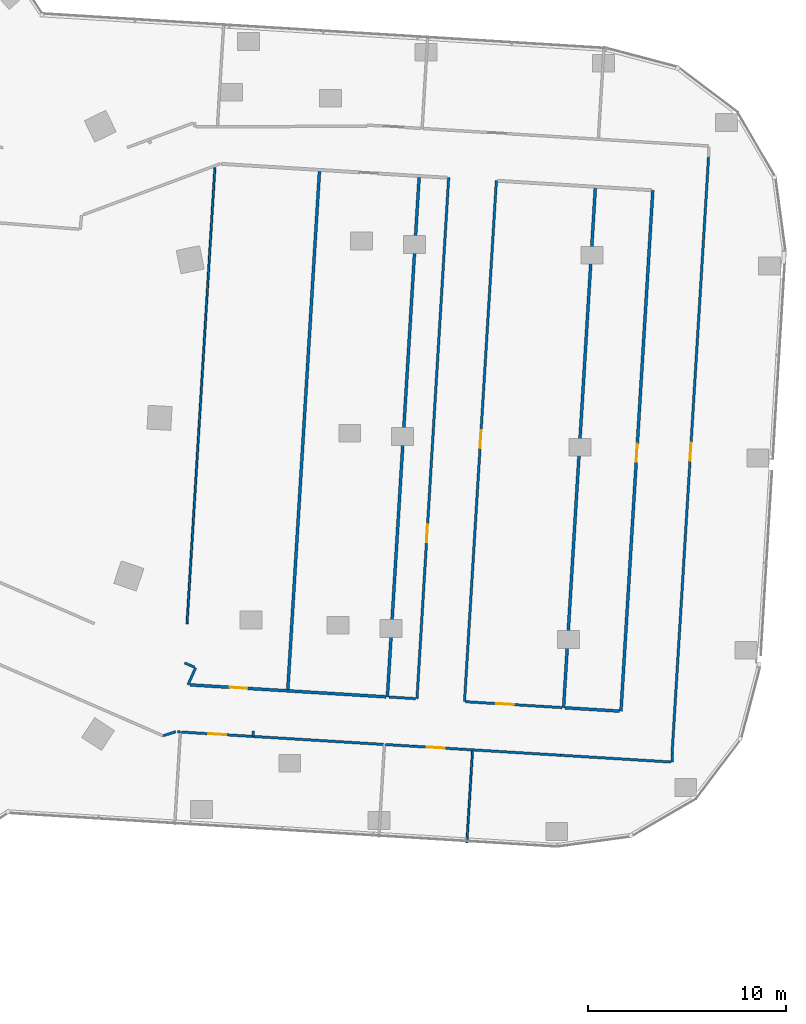
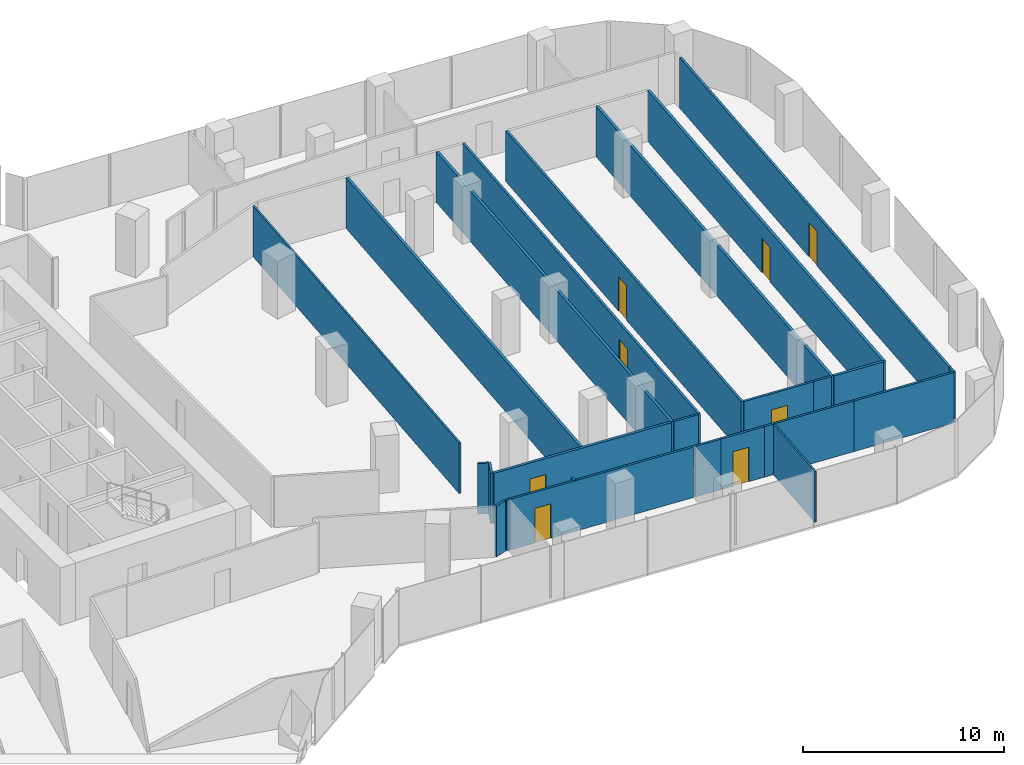
# One storey, part 25 of 32: 25 walls, 8 doors, 8 openings.
"""IFC4 building model written with IfcOpenShell, lengths in metres."""

from ifc_helpers import new_model, si_unit, direction, frame, frame_2d, origin, place, context, subcontext, project, spatial, rectangle, extrude, material, layer, layer_set, type_object, element, fill, save


model = new_model("IFC4")

# Units and contexts
model_context = context("Model", 3, precision=1e-05, world=origin(), true_north=direction((0.0, 1.0)))
body_context = subcontext(model_context, "Body", "Model", "MODEL_VIEW")
ifc_project = project(units=[si_unit("LENGTHUNIT", "METRE"), si_unit("AREAUNIT", "SQUARE_METRE"), si_unit("VOLUMEUNIT", "CUBIC_METRE"), si_unit("PLANEANGLEUNIT", "RADIAN"), si_unit("MASSUNIT", "GRAM", prefix="KILO")], contexts=[model_context])

# Site, building, storey
site_placement = place(None, origin())
site = spatial("IfcSite", under=ifc_project, at=site_placement, CompositionType="ELEMENT")
building_placement = place(site_placement, origin())
building = spatial("IfcBuilding", under=site, at=building_placement, Name="Orlundy Tower", CompositionType="ELEMENT")
storey_placement = place(building_placement, frame((0.0, 0.0, 149.10009765625)))
storey = spatial("IfcBuildingStorey", under=building, at=storey_placement, Name="L38", CompositionType="ELEMENT", Elevation=149.10009765625)

# Walls
ifc_material_1 = material(Name="Gypsum board partition")
ifc_layer_1 = layer(ifc_material_1, 0.10009765625)
ifc_layer_set_1 = layer_set([ifc_layer_1], Name="Floor partition 100")
wall_type_1 = type_object("IfcWallType", Name="Floor partition 100", PredefinedType="PARTITIONING", material=ifc_layer_set_1)
wall_1_placement = place(storey_placement, frame((45.1259765625, -23.048095703125, 0.0), z_axis=(0.0, 0.0, 1.0), x_axis=(0.061314799781, 0.998118477601, 0.0)))
element("IfcWall", 1, at=wall_1_placement, inside=storey, type_object=wall_type_1, Name="wall-int-L38-090", PredefinedType="PARTITIONING", context=body_context, shape_type="SweptSolid", body=[
    extrude(rectangle(XDim=4.630859375, YDim=0.10009765625, at=frame_2d((2.3154296875, 0.0))), origin(), (0.0, 0.0, 1.0), 3.079833984375),
])
wall_2_placement = place(storey_placement, frame((31.01708984375, -12.014892578125, 0.0), z_axis=(0.0, 0.0, 1.0), x_axis=(0.061035772494, 0.998135579206, 0.0)))
element("IfcWall", 2, at=wall_2_placement, inside=storey, type_object=wall_type_1, Name="wall-int-L38-098", PredefinedType="PARTITIONING", context=body_context, shape_type="SweptSolid", body=[
    extrude(rectangle(XDim=23.0517578125, YDim=0.10009765625, at=frame_2d((11.52587890625, 0.0))), origin(), (0.0, 0.0, 1.0), 3.079833984375),
])
ifc_material_2 = material(Name="Gypsum board partition, double layer")
ifc_layer_2 = layer(ifc_material_2, 0.125)
ifc_layer_set_2 = layer_set([ifc_layer_2], Name="Floor partition 125")
wall_type_2 = type_object("IfcWallType", Name="Floor partition 125", PredefinedType="PARTITIONING", material=ifc_layer_set_2)
wall_3_placement = place(storey_placement, frame((34.34912109375, -17.405029296875, 0.0), z_axis=(0.0, 0.0, 1.0), x_axis=(0.017313421844, -0.999850111479, 0.0)))
element("IfcWall", 3, at=wall_3_placement, inside=storey, type_object=wall_type_2, Name="wall-int-L38-002", PredefinedType="PARTITIONING", context=body_context, shape_type="SweptSolid", body=[
    extrude(rectangle(XDim=0.281982421875, YDim=0.125, at=frame_2d((0.14111328125, 0.0))), origin(), (0.0, 0.0, 1.0), 3.079833984375),
])
wall_4_placement = place(storey_placement, frame((30.89697265625, -13.97900390625, 0.0), z_axis=(0.0, 0.0, 1.0), x_axis=(0.917105858988, -0.398643755012, 0.0)))
element("IfcWall", 4, at=wall_4_placement, inside=storey, type_object=wall_type_2, Name="wall-int-L38-008", PredefinedType="PARTITIONING", context=body_context, shape_type="SweptSolid", body=[
    extrude(rectangle(XDim=0.5419921875, YDim=0.125, at=frame_2d((0.27099609375, 0.0))), origin(), (0.0, 0.0, 1.0), 3.079833984375),
])
wall_5_placement = place(storey_placement, frame((30.532958984375, -17.4541015625, 0.0), z_axis=(0.0, 0.0, 1.0), x_axis=(0.998313083069, -0.058060211616, 0.0)))
element("IfcWall", 5, at=wall_5_placement, inside=storey, type_object=wall_type_2, Name="wall-int-L38-030", PredefinedType="PARTITIONING", context=body_context, shape_type="SweptSolid", body=[
    extrude(rectangle(XDim=0.1513671875, YDim=0.125, at=frame_2d((0.07568359375, 0.0))), origin(), (0.0, 0.0, 1.0), 3.079833984375),
])
wall_6_placement = place(storey_placement, frame((41.02197265625, -18.094970703125, 0.0), z_axis=(0.0, 0.0, 1.0), x_axis=(0.9981427784, -0.060917927811, 0.0)))
element("IfcWall", 6, at=wall_6_placement, inside=storey, type_object=wall_type_2, Name="wall-int-L38-031", PredefinedType="PARTITIONING", context=body_context, shape_type="SweptSolid", body=[
    extrude(rectangle(XDim=1.44677734375, YDim=0.125, at=frame_2d((0.723388671875, 0.0))), origin(), (0.0, 0.0, 1.0), 3.079833984375),
])
wall_7_placement = place(storey_placement, frame((49.85498046875, -18.635009765625, 0.0), z_axis=(0.0, 0.0, 1.0), x_axis=(-0.998140256912, 0.060959228443, 0.0)))
element("IfcWall", 7, at=wall_7_placement, inside=storey, type_object=wall_type_2, Name="wall-int-L38-032", PredefinedType="PARTITIONING", context=body_context, shape_type="SweptSolid", body=[
    extrude(rectangle(XDim=5.002197265625, YDim=0.125, at=frame_2d((2.5009765625, 0.0))), origin(), (0.0, 0.0, 1.0), 3.079833984375),
])
wall_8_placement = place(storey_placement, frame((49.85498046875, -18.635009765625, 0.0), z_axis=(0.0, 0.0, 1.0), x_axis=(0.998130487354, -0.061118984082, 0.0)))
element("IfcWall", 8, at=wall_8_placement, inside=storey, type_object=wall_type_2, Name="wall-int-L38-033", PredefinedType="PARTITIONING", context=body_context, shape_type="SweptSolid", body=[
    extrude(rectangle(XDim=5.564453125, YDim=0.125, at=frame_2d((2.7822265625, 0.0))), origin(), (0.0, 0.0, 1.0), 3.079833984375),
])

# Wall, opening, door
wall_9_placement = place(storey_placement, frame((40.923095703125, -18.089111328125, 0.0), z_axis=(0.0, 0.0, 1.0), x_axis=(-0.998135704692, 0.06103372034, 0.0)))
wall_9 = element("IfcWall", 9, at=wall_9_placement, inside=storey, type_object=wall_type_2, Name="wall-int-L38-034", PredefinedType="PARTITIONING", context=body_context, shape_type="SweptSolid", body=[
    extrude(rectangle(XDim=10.208251953125, YDim=0.125, at=frame_2d((5.10400390625, 0.0))), origin(), (0.0, 0.0, 1.0), 3.079833984375),
])
opening_1_placement = place(wall_9_placement, frame((7.9375, 0.0, 0.0)))
opening_1 = element("IfcOpeningElement", 10, at=opening_1_placement, cuts=wall_9, Name="Opening 29109", PredefinedType="OPENING", context=body_context, shape_type="SweptSolid", body=[
    extrude(rectangle(XDim=0.89990234375, YDim=2.10009765625, at=frame_2d((0.449951171875, 1.050048828125))), frame((0.0, 0.072509765625, 0.0), z_axis=(0.0, -1.0, 0.0), x_axis=(1.0, 0.0, 0.0)), (0.0, 0.0, 1.0), 0.14501953125),
])
ifc_material_3 = material(Name="Timber door leaf", Category="wood")
door_type_1 = type_object("IfcDoorType", Name="Floor door single 900 FD30S", OperationType="NOTDEFINED", PredefinedType="DOOR", material=ifc_material_3)
door_1_placement = place(opening_1_placement, origin())
door_1 = element("IfcDoor", 11, at=door_1_placement, inside=storey, type_object=door_type_1, Name="Door 29109", OperationType="SINGLE_SWING_RIGHT", OverallHeight=2.10009765625, OverallWidth=0.89990234375, PredefinedType="DOOR", context=body_context, shape_type="SweptSolid", body=[
    extrude(rectangle(XDim=0.89990234375, YDim=2.10009765625, at=frame_2d((0.449951171875, 1.050048828125))), frame((0.0, 0.02490234375, 0.0), z_axis=(0.0, -1.0, 0.0), x_axis=(1.0, 0.0, 0.0)), (0.0, 0.0, 1.0), 0.050048828125),
])
fill(opening_1, door_1)

wall_10_placement = place(storey_placement, frame((44.862060546875, -18.330078125, 0.0), z_axis=(0.0, 0.0, 1.0), x_axis=(-0.998123937102, 0.061225862048, 0.0)))
wall_10 = element("IfcWall", 12, at=wall_10_placement, inside=storey, type_object=wall_type_2, Name="wall-int-L38-035", PredefinedType="PARTITIONING", context=body_context, shape_type="SweptSolid", body=[
    extrude(rectangle(XDim=2.400390625, YDim=0.125, at=frame_2d((1.2001953125, 0.0))), origin(), (0.0, 0.0, 1.0), 3.079833984375),
])
opening_2_placement = place(wall_10_placement, frame((0.85009765625, 0.0, 0.0)))
opening_2 = element("IfcOpeningElement", 13, at=opening_2_placement, cuts=wall_10, Name="Opening 29110", PredefinedType="OPENING", context=body_context, shape_type="SweptSolid", body=[
    extrude(rectangle(XDim=0.89990234375, YDim=2.10009765625, at=frame_2d((0.449951171875, 1.050048828125))), frame((0.0, 0.072509765625, 0.0), z_axis=(0.0, -1.0, 0.0), x_axis=(1.0, 0.0, 0.0)), (0.0, 0.0, 1.0), 0.14501953125),
])
door_2_placement = place(opening_2_placement, origin())
door_2 = element("IfcDoor", 14, at=door_2_placement, inside=storey, type_object=door_type_1, Name="Door 29110", OperationType="SINGLE_SWING_RIGHT", OverallHeight=2.10009765625, OverallWidth=0.89990234375, PredefinedType="DOOR", context=body_context, shape_type="SweptSolid", body=[
    extrude(rectangle(XDim=0.89990234375, YDim=2.10009765625, at=frame_2d((0.449951171875, 1.050048828125))), frame((0.0, 0.02490234375, 0.0), z_axis=(0.0, -1.0, 0.0), x_axis=(1.0, 0.0, 0.0)), (0.0, 0.0, 1.0), 0.050048828125),
])
fill(opening_2, door_2)

# Walls
wall_11_placement = place(storey_placement, frame((41.194091796875, -15.699951171875, 0.0), z_axis=(0.0, 0.0, 1.0), x_axis=(0.998175067926, -0.060386536338, 0.0)))
element("IfcWall", 15, at=wall_11_placement, inside=storey, type_object=wall_type_2, Name="wall-int-L38-036", PredefinedType="PARTITIONING", context=body_context, shape_type="SweptSolid", body=[
    extrude(rectangle(XDim=1.3583984375, YDim=0.125, at=frame_2d((0.67919921875, 0.0))), origin(), (0.0, 0.0, 1.0), 3.079833984375),
])
wall_12_placement = place(storey_placement, frame((48.951904296875, -16.174072265625, 0.0), z_axis=(0.0, 0.0, 1.0), x_axis=(0.998184467613, -0.060230960615, 0.0)))
element("IfcWall", 16, at=wall_12_placement, inside=storey, type_object=wall_type_2, Name="wall-int-L38-037", PredefinedType="PARTITIONING", context=body_context, shape_type="SweptSolid", body=[
    extrude(rectangle(XDim=0.976806640625, YDim=0.125, at=frame_2d((0.48828125, 0.0))), origin(), (0.0, 0.0, 1.0), 3.079833984375),
])

# Wall, opening, door
wall_13_placement = place(storey_placement, frame((45.070068359375, -15.93701171875, 0.0), z_axis=(0.0, 0.0, 1.0), x_axis=(0.998140477109, -0.060955622847, 0.0)))
wall_13 = element("IfcWall", 17, at=wall_13_placement, inside=storey, type_object=wall_type_2, Name="wall-int-L38-039", PredefinedType="PARTITIONING", context=body_context, shape_type="SweptSolid", body=[
    extrude(rectangle(XDim=3.88916015625, YDim=0.125, at=frame_2d((1.944580078125, 0.0))), origin(), (0.0, 0.0, 1.0), 3.079833984375),
])
opening_3_placement = place(wall_13_placement, frame((1.53759765625, 0.0, 0.0)))
opening_3 = element("IfcOpeningElement", 18, at=opening_3_placement, cuts=wall_13, Name="Opening 29106", PredefinedType="OPENING", context=body_context, shape_type="SweptSolid", body=[
    extrude(rectangle(XDim=0.89990234375, YDim=2.10009765625, at=frame_2d((0.449951171875, 1.050048828125))), frame((0.0, 0.072509765625, 0.0), z_axis=(0.0, -1.0, 0.0), x_axis=(1.0, 0.0, 0.0)), (0.0, 0.0, 1.0), 0.14501953125),
])
door_3_placement = place(opening_3_placement, origin())
door_3 = element("IfcDoor", 19, at=door_3_placement, inside=storey, type_object=door_type_1, Name="Door 29106", OperationType="SINGLE_SWING_RIGHT", OverallHeight=2.10009765625, OverallWidth=0.89990234375, PredefinedType="DOOR", context=body_context, shape_type="SweptSolid", body=[
    extrude(rectangle(XDim=0.89990234375, YDim=2.10009765625, at=frame_2d((0.449951171875, 1.050048828125))), frame((0.0, 0.02490234375, 0.0), z_axis=(0.0, -1.0, 0.0), x_axis=(1.0, 0.0, 0.0)), (0.0, 0.0, 1.0), 0.050048828125),
])
fill(opening_3, door_3)

# Walls
wall_14_placement = place(storey_placement, frame((31.071044921875, -15.0810546875, 0.0), z_axis=(0.0, 0.0, 1.0), x_axis=(0.404017334041, 0.914751328938, 0.0)))
element("IfcWall", 20, at=wall_14_placement, inside=storey, type_object=wall_type_2, Name="wall-int-L38-061", PredefinedType="PARTITIONING", context=body_context, shape_type="SweptSolid", body=[
    extrude(rectangle(XDim=0.940185546875, YDim=0.125, at=frame_2d((0.47021484375, 0.0))), origin(), (0.0, 0.0, 1.0), 3.079833984375),
])
wall_15_placement = place(storey_placement, frame((29.81396484375, -17.653076171875, 0.0), z_axis=(0.0, 0.0, 1.0), x_axis=(0.951047586281, 0.30904447678, 0.0)))
element("IfcWall", 21, at=wall_15_placement, inside=storey, type_object=wall_type_2, Name="wall-int-L38-062", PredefinedType="PARTITIONING", context=body_context, shape_type="SweptSolid", body=[
    extrude(rectangle(XDim=0.66357421875, YDim=0.125, at=frame_2d((0.331787109375, 0.0))), origin(), (0.0, 0.0, 1.0), 3.079833984375),
])

# Wall, opening, door
wall_16_placement = place(storey_placement, frame((57.31103515625, 11.513916015625, 0.0), z_axis=(0.0, 0.0, 1.0), x_axis=(-0.061067487699, -0.998133639322, 0.0)))
wall_16 = element("IfcWall", 22, at=wall_16_placement, inside=storey, type_object=wall_type_2, Name="wall-int-L38-086", PredefinedType="PARTITIONING", context=body_context, shape_type="SweptSolid", body=[
    extrude(rectangle(XDim=30.080078125, YDim=0.125, at=frame_2d((15.0400390625, 0.0))), origin(), (0.0, 0.0, 1.0), 3.079833984375),
])
opening_4_placement = place(wall_16_placement, frame((14.435302734375, 0.0, 0.0)))
opening_4 = element("IfcOpeningElement", 23, at=opening_4_placement, cuts=wall_16, Name="Opening 29108", PredefinedType="OPENING", context=body_context, shape_type="SweptSolid", body=[
    extrude(rectangle(XDim=0.89990234375, YDim=2.10009765625, at=frame_2d((0.449951171875, 1.050048828125))), frame((0.0, 0.072509765625, 0.0), z_axis=(0.0, -1.0, 0.0), x_axis=(1.0, 0.0, 0.0)), (0.0, 0.0, 1.0), 0.14501953125),
])
door_4_placement = place(opening_4_placement, origin())
door_4 = element("IfcDoor", 24, at=door_4_placement, inside=storey, type_object=door_type_1, Name="Door 29108", OperationType="SINGLE_SWING_LEFT", OverallHeight=2.10009765625, OverallWidth=0.89990234375, PredefinedType="DOOR", context=body_context, shape_type="SweptSolid", body=[
    extrude(rectangle(XDim=0.89990234375, YDim=2.10009765625, at=frame_2d((0.449951171875, 1.050048828125))), frame((0.0, 0.02490234375, 0.0), z_axis=(0.0, -1.0, 0.0), x_axis=(1.0, 0.0, 0.0)), (0.0, 0.0, 1.0), 0.050048828125),
])
fill(opening_4, door_4)

wall_17_placement = place(storey_placement, frame((46.614990234375, 10.3291015625, 0.0), z_axis=(0.0, 0.0, 1.0), x_axis=(-0.061073840806, -0.998133250608, 0.0)))
wall_17 = element("IfcWall", 25, at=wall_17_placement, inside=storey, type_object=wall_type_2, Name="wall-int-L38-091", PredefinedType="PARTITIONING", context=body_context, shape_type="SweptSolid", body=[
    extrude(rectangle(XDim=26.311279296875, YDim=0.125, at=frame_2d((13.15576171875, 0.0))), origin(), (0.0, 0.0, 1.0), 3.079833984375),
])
opening_5_placement = place(wall_17_placement, frame((12.60009765625, 0.0, 0.0)))
opening_5 = element("IfcOpeningElement", 26, at=opening_5_placement, cuts=wall_17, Name="Opening 29105", PredefinedType="OPENING", context=body_context, shape_type="SweptSolid", body=[
    extrude(rectangle(XDim=0.89990234375, YDim=2.10009765625, at=frame_2d((0.449951171875, 1.050048828125))), frame((0.0, 0.072509765625, 0.0), z_axis=(0.0, -1.0, 0.0), x_axis=(1.0, 0.0, 0.0)), (0.0, 0.0, 1.0), 0.14501953125),
])
door_5_placement = place(opening_5_placement, origin())
door_5 = element("IfcDoor", 27, at=door_5_placement, inside=storey, type_object=door_type_1, Name="Door 29105", OperationType="SINGLE_SWING_LEFT", OverallHeight=2.10009765625, OverallWidth=0.89990234375, PredefinedType="DOOR", context=body_context, shape_type="SweptSolid", body=[
    extrude(rectangle(XDim=0.89990234375, YDim=2.10009765625, at=frame_2d((0.449951171875, 1.050048828125))), frame((0.0, 0.02490234375, 0.0), z_axis=(0.0, -1.0, 0.0), x_axis=(1.0, 0.0, 0.0)), (0.0, 0.0, 1.0), 0.050048828125),
])
fill(opening_5, door_5)

wall_18_placement = place(storey_placement, frame((42.612060546875, -15.785888671875, 0.0), z_axis=(0.0, 0.0, 1.0), x_axis=(0.060711547525, 0.998155352637, 0.0)))
wall_18 = element("IfcWall", 28, at=wall_18_placement, inside=storey, type_object=wall_type_2, Name="wall-int-L38-092", PredefinedType="PARTITIONING", context=body_context, shape_type="SweptSolid", body=[
    extrude(rectangle(XDim=26.319580078125, YDim=0.125, at=frame_2d((13.15966796875, 0.0))), origin(), (0.0, 0.0, 1.0), 3.079833984375),
])
opening_6_placement = place(wall_18_placement, frame((7.90185546875, 0.0, 0.0)))
opening_6 = element("IfcOpeningElement", 29, at=opening_6_placement, cuts=wall_18, Name="Opening 29104", PredefinedType="OPENING", context=body_context, shape_type="SweptSolid", body=[
    extrude(rectangle(XDim=0.89990234375, YDim=2.10009765625, at=frame_2d((0.449951171875, 1.050048828125))), frame((0.0, 0.072509765625, 0.0), z_axis=(0.0, -1.0, 0.0), x_axis=(1.0, 0.0, 0.0)), (0.0, 0.0, 1.0), 0.14501953125),
])
door_6_placement = place(opening_6_placement, origin())
door_6 = element("IfcDoor", 30, at=door_6_placement, inside=storey, type_object=door_type_1, Name="Door 29104", OperationType="SINGLE_SWING_LEFT", OverallHeight=2.10009765625, OverallWidth=0.89990234375, PredefinedType="DOOR", context=body_context, shape_type="SweptSolid", body=[
    extrude(rectangle(XDim=0.89990234375, YDim=2.10009765625, at=frame_2d((0.449951171875, 1.050048828125))), frame((0.0, 0.02490234375, 0.0), z_axis=(0.0, -1.0, 0.0), x_axis=(1.0, 0.0, 0.0)), (0.0, 0.0, 1.0), 0.050048828125),
])
fill(opening_6, door_6)

# Wall
wall_19_placement = place(storey_placement, frame((55.471923828125, -18.97802734375, 0.0), z_axis=(0.0, 0.0, 1.0), x_axis=(0.004694783941, 0.999988979441, 0.0)))
element("IfcWall", 31, at=wall_19_placement, inside=storey, type_object=wall_type_2, Name="wall-int-L38-100", PredefinedType="PARTITIONING", context=body_context, shape_type="SweptSolid", body=[
    extrude(rectangle(XDim=0.468017578125, YDim=0.125, at=frame_2d((0.23388671875, 0.0))), origin(), (0.0, 0.0, 1.0), 3.079833984375),
])

# Wall, opening, door
ifc_material_4 = material(Name="Blockwork shaft wall", Category="masonry")
ifc_layer_3 = layer(ifc_material_4, 0.14990234375)
ifc_layer_set_3 = layer_set([ifc_layer_3], Name="Floor shaft wall 150")
wall_type_3 = type_object("IfcWallType", Name="Floor shaft wall 150", PredefinedType="PARTITIONING", material=ifc_layer_set_3)
wall_20_placement = place(storey_placement, frame((31.1650390625, -15.0869140625, 0.0), z_axis=(0.0, 0.0, 1.0), x_axis=(0.998142132741, -0.060928506027, 0.0)))
wall_20 = element("IfcWall", 32, at=wall_20_placement, inside=storey, type_object=wall_type_3, Name="wall-int-L38-038", PredefinedType="PARTITIONING", context=body_context, shape_type="SweptSolid", body=[
    extrude(rectangle(XDim=9.897216796875, YDim=0.14990234375, at=frame_2d((4.94873046875, 0.0))), origin(), (0.0, 0.0, 1.0), 3.079833984375),
])
opening_7_placement = place(wall_20_placement, frame((2.005615234375, 0.0, 0.0)))
opening_7 = element("IfcOpeningElement", 33, at=opening_7_placement, cuts=wall_20, Name="Opening 29102", PredefinedType="OPENING", context=body_context, shape_type="SweptSolid", body=[
    extrude(rectangle(XDim=0.89990234375, YDim=2.10009765625, at=frame_2d((0.449951171875, 1.050048828125))), frame((0.0, 0.0849609375, 0.0), z_axis=(0.0, -1.0, 0.0), x_axis=(1.0, 0.0, 0.0)), (0.0, 0.0, 1.0), 0.169921875),
])
ifc_material_5 = material(Name="Timber door leaf", Category="wood")
door_type_2 = type_object("IfcDoorType", Name="Floor door single 900 FD60", OperationType="NOTDEFINED", PredefinedType="DOOR", material=ifc_material_5)
door_7_placement = place(opening_7_placement, origin())
door_7 = element("IfcDoor", 34, at=door_7_placement, inside=storey, type_object=door_type_2, Name="Door 29102", OperationType="SINGLE_SWING_LEFT", OverallHeight=2.10009765625, OverallWidth=0.89990234375, PredefinedType="DOOR", context=body_context, shape_type="SweptSolid", body=[
    extrude(rectangle(XDim=0.89990234375, YDim=2.10009765625, at=frame_2d((0.449951171875, 1.050048828125))), frame((0.0, 0.02490234375, 0.0), z_axis=(0.0, -1.0, 0.0), x_axis=(1.0, 0.0, 0.0)), (0.0, 0.0, 1.0), 0.050048828125),
])
fill(opening_7, door_7)

# Wall
wall_21_placement = place(storey_placement, frame((50.076904296875, -16.242919921875, 0.0), z_axis=(0.0, 0.0, 1.0), x_axis=(0.998153516583, -0.060741726454, 0.0)))
element("IfcWall", 35, at=wall_21_placement, inside=storey, type_object=wall_type_3, Name="wall-int-L38-040", PredefinedType="PARTITIONING", context=body_context, shape_type="SweptSolid", body=[
    extrude(rectangle(XDim=2.749267578125, YDim=0.14990234375, at=frame_2d((1.37451171875, 0.0))), origin(), (0.0, 0.0, 1.0), 3.079833984375),
])

# Wall, opening, door
wall_22_placement = place(storey_placement, frame((52.89599609375, -16.4150390625, 0.0), z_axis=(0.0, 0.0, 1.0), x_axis=(0.061037428755, 0.998135477924, 0.0)))
wall_22 = element("IfcWall", 36, at=wall_22_placement, inside=storey, type_object=wall_type_3, Name="wall-int-L38-087", PredefinedType="PARTITIONING", context=body_context, shape_type="SweptSolid", body=[
    extrude(rectangle(XDim=26.31103515625, YDim=0.14990234375, at=frame_2d((13.155517578125, 0.0))), origin(), (0.0, 0.0, 1.0), 3.079833984375),
])
opening_8_placement = place(wall_22_placement, frame((12.60009765625, 0.0, 0.0)))
opening_8 = element("IfcOpeningElement", 37, at=opening_8_placement, cuts=wall_22, Name="Opening 29107", PredefinedType="OPENING", context=body_context, shape_type="SweptSolid", body=[
    extrude(rectangle(XDim=0.89990234375, YDim=2.10009765625, at=frame_2d((0.449951171875, 1.050048828125))), frame((0.0, 0.0849609375, 0.0), z_axis=(0.0, -1.0, 0.0), x_axis=(1.0, 0.0, 0.0)), (0.0, 0.0, 1.0), 0.169921875),
])
door_8_placement = place(opening_8_placement, origin())
door_8 = element("IfcDoor", 38, at=door_8_placement, inside=storey, type_object=door_type_2, Name="Door 29107", OperationType="SINGLE_SWING_LEFT", OverallHeight=2.10009765625, OverallWidth=0.89990234375, PredefinedType="DOOR", context=body_context, shape_type="SweptSolid", body=[
    extrude(rectangle(XDim=0.89990234375, YDim=2.10009765625, at=frame_2d((0.449951171875, 1.050048828125))), frame((0.0, 0.02490234375, 0.0), z_axis=(0.0, -1.0, 0.0), x_axis=(1.0, 0.0, 0.0)), (0.0, 0.0, 1.0), 0.050048828125),
])
fill(opening_8, door_8)

# Walls
for number, where, z_axis, x_axis, name in (
    (39, (50.001953125, -16.238037109375, 0.0), (0.0, 0.0, 1.0), (0.061026057913, 0.998136173203, 0.0), "wall-int-L38-088"),
    (40, (41.118896484375, -15.695068359375, 0.0), (0.0, 0.0, 1.0), (0.061026057913, 0.998136173203, 0.0), "wall-int-L38-094"),
):
    element("IfcWall", number, at=place(storey_placement, frame(where, z_axis=z_axis, x_axis=x_axis)), inside=storey, type_object=wall_type_3, Name=name, PredefinedType="PARTITIONING", context=body_context, shape_type="SweptSolid", body=[
        extrude(rectangle(XDim=26.23583984375, YDim=0.14990234375, at=frame_2d((13.117919921875, 0.0))), origin(), (0.0, 0.0, 1.0), 3.079833984375),
    ])
wall_23_placement = place(storey_placement, frame((36.10009765625, -15.31298828125, 0.0), z_axis=(0.0, 0.0, 1.0), x_axis=(0.060968133748, 0.998139713, 0.0)))
element("IfcWall", 41, at=wall_23_placement, inside=storey, type_object=wall_type_3, Name="wall-int-L38-096", PredefinedType="PARTITIONING", context=body_context, shape_type="SweptSolid", body=[
    extrude(rectangle(XDim=26.16064453125, YDim=0.14990234375, at=frame_2d((13.080322265625, 0.0))), origin(), (0.0, 0.0, 1.0), 3.079833984375),
])

save(model, "model.ifc")
